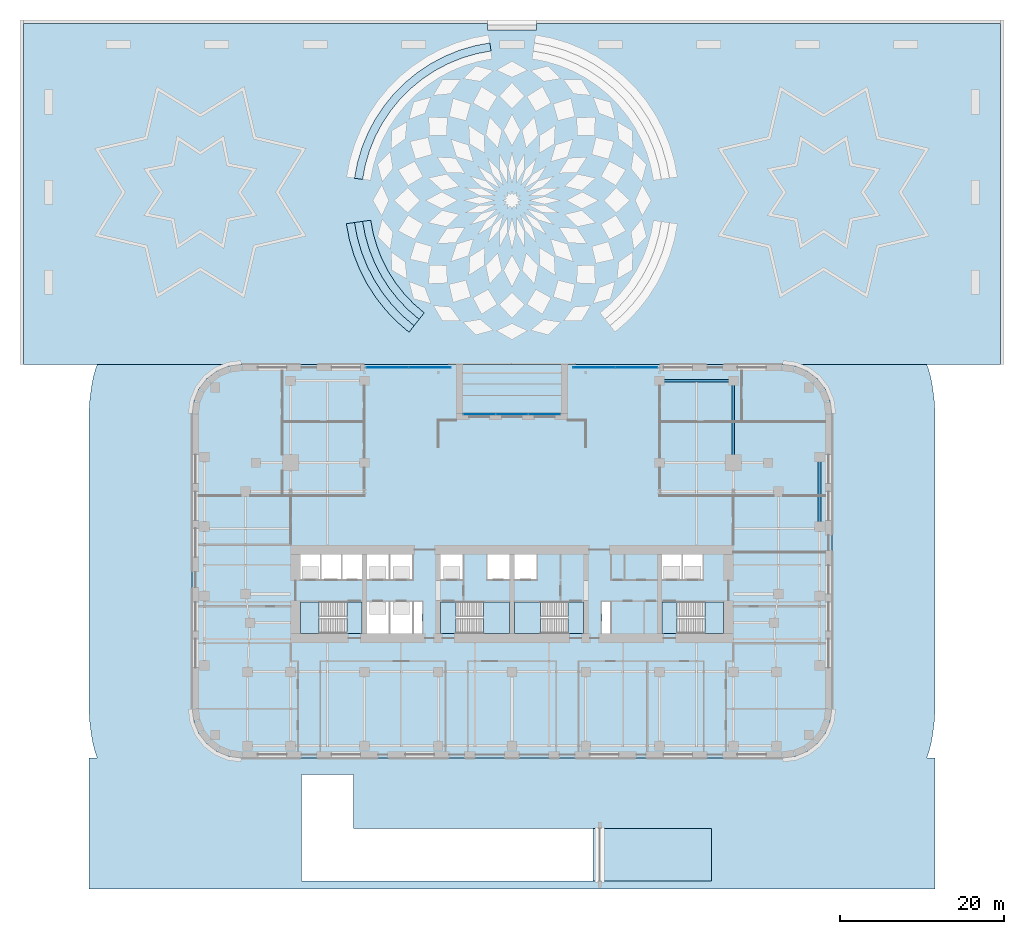
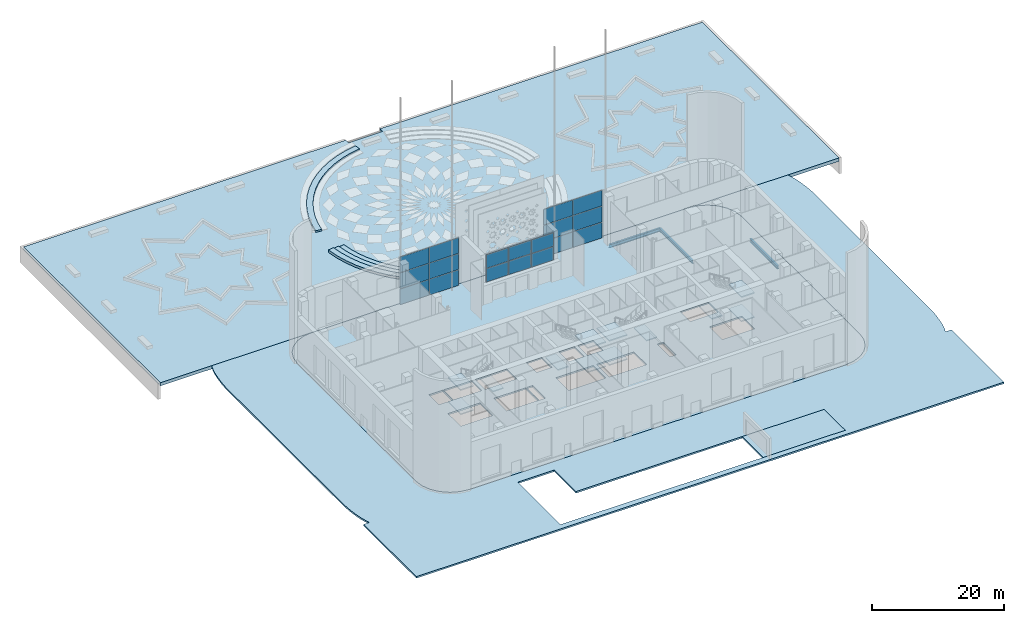
# One storey, part 8 of 23: 20 slabs, 18 plates, 3 beams, 9 elements without a shape of their own.
"""IFC4 building model written with IfcOpenShell, lengths in metres."""

from ifc_helpers import new_model, si_unit, direction, frame, origin, origin_2d, place, context, subcontext, project, spatial, polyline, rectangle, i_section, outline, extrude, material, layer, layer_set, material_profile, profile_set, type_object, element, aggregate, save


model = new_model("IFC4")

# Units and contexts
model_context = context("Model", 3, precision=1e-05, world=origin(), true_north=direction((0.0, 1.0)))
body_context = subcontext(model_context, "Body", "Model", "MODEL_VIEW")
ifc_project = project(units=[si_unit("LENGTHUNIT", "METRE"), si_unit("AREAUNIT", "SQUARE_METRE"), si_unit("VOLUMEUNIT", "CUBIC_METRE"), si_unit("PLANEANGLEUNIT", "RADIAN"), si_unit("MASSUNIT", "GRAM", prefix="KILO")], contexts=[model_context])

# Site, building, storey
site_placement = place(None, origin())
site = spatial("IfcSite", under=ifc_project, at=site_placement, CompositionType="ELEMENT")
building_placement = place(site_placement, origin())
building = spatial("IfcBuilding", under=site, at=building_placement, Name="Zellij Exchange Tower", CompositionType="ELEMENT")
storey_placement = place(building_placement, origin())
storey = spatial("IfcBuildingStorey", under=building, at=storey_placement, Name="L00", CompositionType="ELEMENT", Elevation=0.0)

# Beams
ifc_material_1 = material(Name="Structural steel ASTM A992 Gr 50", Category="steel")
ifc_material_profile = material_profile(ifc_material_1, i_section(OverallWidth=0.3251953125, OverallDepth=0.612060546875, WebThickness=0.0126953125, FlangeThickness=0.01904296875, at=origin_2d()), Name="W24x104")
ifc_profile_set = profile_set([ifc_material_profile], Name="Structural steel ASTM A992 Gr 50")
beam_type = type_object("IfcBeamType", Name="STR-GIRDER W24x104", PredefinedType="BEAM", material=ifc_profile_set)
beam_1_placement = place(storey_placement, frame((18.0, 18.0, -0.606201171875), z_axis=(1.0, 0.0, 0.0), x_axis=(0.0, 1.0, 0.0)))
element("IfcBeam", 1, at=beam_1_placement, inside=storey, type_object=beam_type, Name="G3", PredefinedType="BEAM", context=body_context, shape_type="SweptSolid", body=[
    extrude(i_section(OverallWidth=0.3251953125, OverallDepth=0.612060546875, WebThickness=0.0126953125, FlangeThickness=0.01904296875, at=origin_2d()), origin(), (0.0, 0.0, 1.0), 9.0),
])
beam_2_placement = place(storey_placement, frame((27.0, 8.0, -0.606201171875), z_axis=(0.0, 1.0, 0.0), x_axis=(-1.0, 0.0, 0.0)))
element("IfcBeam", 2, at=beam_2_placement, inside=storey, type_object=beam_type, Name="G3", PredefinedType="BEAM", context=body_context, shape_type="SweptSolid", body=[
    extrude(i_section(OverallWidth=0.3251953125, OverallDepth=0.612060546875, WebThickness=0.0126953125, FlangeThickness=0.01904296875, at=origin_2d()), origin(), (0.0, 0.0, 1.0), 10.0),
])
beam_3_placement = place(storey_placement, frame((37.5, 0.236083984375, -0.606201171875), z_axis=(0.0, 1.0, 0.0), x_axis=(-1.0, 0.0, 0.0)))
element("IfcBeam", 3, at=beam_3_placement, inside=storey, type_object=beam_type, Name="G3", PredefinedType="BEAM", context=body_context, shape_type="SweptSolid", body=[
    extrude(i_section(OverallWidth=0.3251953125, OverallDepth=0.612060546875, WebThickness=0.0126953125, FlangeThickness=0.01904296875, at=origin_2d()), origin(), (0.0, 0.0, 1.0), 8.472900390625),
])

# Slab
ifc_material_2 = material(Name="Concrete C40/50", Category="concrete")
ifc_layer_1 = layer(ifc_material_2, 0.300048828125)
ifc_layer_set_1 = layer_set([ifc_layer_1], Name="Concrete C40/50")
slab_type_1 = type_object("IfcSlabType", Name="BSM-Court paving 300", PredefinedType="USERDEFINED", material=ifc_layer_set_1)
slab_1_placement = place(storey_placement, frame((0.0, 0.0, -0.300048828125)))
element("IfcSlab", 4, at=slab_1_placement, inside=storey, type_object=slab_type_1, Name="Service court apron", ObjectType="COURT PAVING", PredefinedType="USERDEFINED", context=body_context, shape_type="SweptSolid", body=[
    extrude(outline(polyline([(24.304931640625, -43.0), (24.304931640625, -36.60009765625), (9.905029296875, -36.60009765625), (9.905029296875, -43.0), (24.304931640625, -43.0)])), origin(), (0.0, 0.0, 1.0), 0.300048828125),
])

# Stair, slabs
stair_type = type_object("IfcStairType", Name="CORE-ST exit stair 1850 wide", PredefinedType="HALF_TURN_STAIR", material=ifc_material_2)
stair_1_placement = place(storey_placement, origin())
stair_1 = element("IfcStair", 5, at=stair_1_placement, inside=storey, type_object=stair_type, Name="L00 exit stair ST1", PredefinedType="HALF_TURN_STAIR")
ifc_layer_2 = layer(ifc_material_2, 0.199951171875)
ifc_layer_set_2 = layer_set([ifc_layer_2], Name="Concrete C40/50")
slab_type_2 = type_object("IfcSlabType", Name="CORE-SL stair landing 200", PredefinedType="LANDING", material=ifc_layer_set_2)
slab_2_placement = place(storey_placement, frame((0.0, 0.0, 2.050048828125)))
slab_2 = element("IfcSlab", 6, at=slab_2_placement, type_object=slab_type_2, Name="ST1 landing 1", PredefinedType="LANDING", context=body_context, shape_type="SweptSolid", body=[
    extrude(outline(polyline([(-23.510009765625, -8.949951171875), (-25.800048828125, -8.949951171875), (-25.800048828125, -12.800048828125), (-23.510009765625, -12.800048828125), (-23.510009765625, -8.949951171875)])), origin(), (0.0, 0.0, 1.0), 0.199951171875),
])
slab_3_placement = place(storey_placement, frame((0.0, 0.0, 4.300048828125)))
slab_3 = element("IfcSlab", 7, at=slab_3_placement, type_object=slab_type_2, Name="ST1 landing 2", PredefinedType="LANDING", context=body_context, shape_type="SweptSolid", body=[
    extrude(outline(polyline([(-18.300048828125, -8.949951171875), (-20.14990234375, -8.949951171875), (-20.14990234375, -12.800048828125), (-18.300048828125, -12.800048828125), (-18.300048828125, -8.949951171875)])), origin(), (0.0, 0.0, 1.0), 0.199951171875),
])
slab_4_placement = place(storey_placement, frame((0.0, 0.0, 6.550048828125)))
slab_4 = element("IfcSlab", 8, at=slab_4_placement, type_object=slab_type_2, Name="ST1 landing 3", PredefinedType="LANDING", context=body_context, shape_type="SweptSolid", body=[
    extrude(outline(polyline([(-23.510009765625, -8.949951171875), (-25.800048828125, -8.949951171875), (-25.800048828125, -12.800048828125), (-23.510009765625, -12.800048828125), (-23.510009765625, -8.949951171875)])), origin(), (0.0, 0.0, 1.0), 0.199951171875),
])
aggregate(stair_1, [slab_2, slab_3, slab_4])

stair_2_placement = place(storey_placement, origin())
stair_2 = element("IfcStair", 9, at=stair_2_placement, inside=storey, type_object=stair_type, Name="L00 exit stair ST2", PredefinedType="HALF_TURN_STAIR")
slab_5_placement = place(storey_placement, frame((0.0, 0.0, 2.050048828125)))
slab_5 = element("IfcSlab", 10, at=slab_5_placement, type_object=slab_type_2, Name="ST2 landing 1", PredefinedType="LANDING", context=body_context, shape_type="SweptSolid", body=[
    extrude(outline(polyline([(-3.489990234375, -12.800048828125), (-0.300048828125, -12.800048828125), (-0.300048828125, -8.949951171875), (-3.489990234375, -8.949951171875), (-3.489990234375, -12.800048828125)])), origin(), (0.0, 0.0, 1.0), 0.199951171875),
])
slab_6_placement = place(storey_placement, frame((0.0, 0.0, 4.300048828125)))
slab_6 = element("IfcSlab", 11, at=slab_6_placement, type_object=slab_type_2, Name="ST2 landing 2", PredefinedType="LANDING", context=body_context, shape_type="SweptSolid", body=[
    extrude(outline(polyline([(-8.699951171875, -12.800048828125), (-6.85009765625, -12.800048828125), (-6.85009765625, -8.949951171875), (-8.699951171875, -8.949951171875), (-8.699951171875, -12.800048828125)])), origin(), (0.0, 0.0, 1.0), 0.199951171875),
])
slab_7_placement = place(storey_placement, frame((0.0, 0.0, 6.550048828125)))
slab_7 = element("IfcSlab", 12, at=slab_7_placement, type_object=slab_type_2, Name="ST2 landing 3", PredefinedType="LANDING", context=body_context, shape_type="SweptSolid", body=[
    extrude(outline(polyline([(-3.489990234375, -12.800048828125), (-0.300048828125, -12.800048828125), (-0.300048828125, -8.949951171875), (-3.489990234375, -8.949951171875), (-3.489990234375, -12.800048828125)])), origin(), (0.0, 0.0, 1.0), 0.199951171875),
])
aggregate(stair_2, [slab_5, slab_6, slab_7])

stair_3_placement = place(storey_placement, origin())
stair_3 = element("IfcStair", 13, at=stair_3_placement, inside=storey, type_object=stair_type, Name="L00 exit stair ST3", PredefinedType="HALF_TURN_STAIR")
slab_8_placement = place(storey_placement, frame((0.0, 0.0, 2.050048828125)))
slab_8 = element("IfcSlab", 14, at=slab_8_placement, type_object=slab_type_2, Name="ST3 landing 1", PredefinedType="LANDING", context=body_context, shape_type="SweptSolid", body=[
    extrude(outline(polyline([(3.489990234375, -8.949951171875), (0.300048828125, -8.949951171875), (0.300048828125, -12.800048828125), (3.489990234375, -12.800048828125), (3.489990234375, -8.949951171875)])), origin(), (0.0, 0.0, 1.0), 0.199951171875),
])
slab_9_placement = place(storey_placement, frame((0.0, 0.0, 4.300048828125)))
slab_9 = element("IfcSlab", 15, at=slab_9_placement, type_object=slab_type_2, Name="ST3 landing 2", PredefinedType="LANDING", context=body_context, shape_type="SweptSolid", body=[
    extrude(outline(polyline([(8.699951171875, -8.949951171875), (6.85009765625, -8.949951171875), (6.85009765625, -12.800048828125), (8.699951171875, -12.800048828125), (8.699951171875, -8.949951171875)])), origin(), (0.0, 0.0, 1.0), 0.199951171875),
])
slab_10_placement = place(storey_placement, frame((0.0, 0.0, 6.550048828125)))
slab_10 = element("IfcSlab", 16, at=slab_10_placement, type_object=slab_type_2, Name="ST3 landing 3", PredefinedType="LANDING", context=body_context, shape_type="SweptSolid", body=[
    extrude(outline(polyline([(3.489990234375, -8.949951171875), (0.300048828125, -8.949951171875), (0.300048828125, -12.800048828125), (3.489990234375, -12.800048828125), (3.489990234375, -8.949951171875)])), origin(), (0.0, 0.0, 1.0), 0.199951171875),
])
aggregate(stair_3, [slab_8, slab_9, slab_10])

stair_4_placement = place(storey_placement, origin())
stair_4 = element("IfcStair", 17, at=stair_4_placement, inside=storey, type_object=stair_type, Name="L00 exit stair ST4", PredefinedType="HALF_TURN_STAIR")
slab_11_placement = place(storey_placement, frame((0.0, 0.0, 2.050048828125)))
slab_11 = element("IfcSlab", 18, at=slab_11_placement, type_object=slab_type_2, Name="ST4 landing 1", PredefinedType="LANDING", context=body_context, shape_type="SweptSolid", body=[
    extrude(outline(polyline([(23.510009765625, -12.800048828125), (25.800048828125, -12.800048828125), (25.800048828125, -8.949951171875), (23.510009765625, -8.949951171875), (23.510009765625, -12.800048828125)])), origin(), (0.0, 0.0, 1.0), 0.199951171875),
])
slab_12_placement = place(storey_placement, frame((0.0, 0.0, 4.300048828125)))
slab_12 = element("IfcSlab", 19, at=slab_12_placement, type_object=slab_type_2, Name="ST4 landing 2", PredefinedType="LANDING", context=body_context, shape_type="SweptSolid", body=[
    extrude(outline(polyline([(18.300048828125, -12.800048828125), (20.14990234375, -12.800048828125), (20.14990234375, -8.949951171875), (18.300048828125, -8.949951171875), (18.300048828125, -12.800048828125)])), origin(), (0.0, 0.0, 1.0), 0.199951171875),
])
slab_13_placement = place(storey_placement, frame((0.0, 0.0, 6.550048828125)))
slab_13 = element("IfcSlab", 20, at=slab_13_placement, type_object=slab_type_2, Name="ST4 landing 3", PredefinedType="LANDING", context=body_context, shape_type="SweptSolid", body=[
    extrude(outline(polyline([(23.510009765625, -12.800048828125), (25.800048828125, -12.800048828125), (25.800048828125, -8.949951171875), (23.510009765625, -8.949951171875), (23.510009765625, -12.800048828125)])), origin(), (0.0, 0.0, 1.0), 0.199951171875),
])
aggregate(stair_4, [slab_11, slab_12, slab_13])

# Curtain wall, plates
ifc_material_3 = material(Name="Aluminium frame, clear insulating glass", Category="aluminium")
curtain_wall_type_1 = type_object("IfcCurtainWallType", Name="ENV-CW3 Exchange-hall glazing", PredefinedType="NOTDEFINED", material=ifc_material_3)
curtain_wall_1_placement = place(storey_placement, origin())
curtain_wall_1 = element("IfcCurtainWall", 21, at=curtain_wall_1_placement, inside=storey, type_object=curtain_wall_type_1, Name="cw.L00.14b", PredefinedType="NOTDEFINED")
ifc_material_4 = material(Name="Insulating glass unit, clear", Category="glass")
ifc_layer_3 = layer(ifc_material_4, 0.0439453125)
ifc_layer_set_3 = layer_set([ifc_layer_3], Name="Insulating glass unit, clear")
plate_type_1 = type_object("IfcPlateType", Name="ENV-CW3P Glazed panel 44", PredefinedType="CURTAIN_PANEL", material=ifc_layer_set_3)
plate_1_placement = place(storey_placement, frame((15.179931640625, 19.60009765625, 0.080078125), z_axis=(0.0, 0.0, 1.0), x_axis=(-1.0, 0.0, 0.0)))
plate_1 = element("IfcPlate", 22, at=plate_1_placement, type_object=plate_type_1, Name="CW3 panel 1.1", PredefinedType="CURTAIN_PANEL", context=body_context, shape_type="SweptSolid", body=[
    extrude(rectangle(XDim=5.080078125, YDim=0.0439453125, at=origin_2d()), origin(), (0.0, 0.0, 1.0), 2.8798828125),
])
plate_2_placement = place(storey_placement, frame((15.179931640625, 19.60009765625, 3.0400390625), z_axis=(0.0, 0.0, 1.0), x_axis=(-1.0, 0.0, 0.0)))
plate_2 = element("IfcPlate", 23, at=plate_2_placement, type_object=plate_type_1, Name="CW3 panel 1.2", PredefinedType="CURTAIN_PANEL", context=body_context, shape_type="SweptSolid", body=[
    extrude(rectangle(XDim=5.080078125, YDim=0.0439453125, at=origin_2d()), origin(), (0.0, 0.0, 1.0), 2.919921875),
])
plate_3_placement = place(storey_placement, frame((15.179931640625, 19.60009765625, 6.0400390625), z_axis=(0.0, 0.0, 1.0), x_axis=(-1.0, 0.0, 0.0)))
plate_3 = element("IfcPlate", 24, at=plate_3_placement, type_object=plate_type_1, Name="CW3 panel 1.3", PredefinedType="CURTAIN_PANEL", context=body_context, shape_type="SweptSolid", body=[
    extrude(rectangle(XDim=5.080078125, YDim=0.0439453125, at=origin_2d()), origin(), (0.0, 0.0, 1.0), 2.8798828125),
])
plate_4_placement = place(storey_placement, frame((10.02001953125, 19.60009765625, 0.080078125), z_axis=(0.0, 0.0, 1.0), x_axis=(-1.0, 0.0, 0.0)))
plate_4 = element("IfcPlate", 25, at=plate_4_placement, type_object=plate_type_1, Name="CW3 panel 2.1", PredefinedType="CURTAIN_PANEL", context=body_context, shape_type="SweptSolid", body=[
    extrude(rectangle(XDim=5.080078125, YDim=0.0439453125, at=origin_2d()), origin(), (0.0, 0.0, 1.0), 2.8798828125),
])
plate_5_placement = place(storey_placement, frame((10.02001953125, 19.60009765625, 3.0400390625), z_axis=(0.0, 0.0, 1.0), x_axis=(-1.0, 0.0, 0.0)))
plate_5 = element("IfcPlate", 26, at=plate_5_placement, type_object=plate_type_1, Name="CW3 panel 2.2", PredefinedType="CURTAIN_PANEL", context=body_context, shape_type="SweptSolid", body=[
    extrude(rectangle(XDim=5.080078125, YDim=0.0439453125, at=origin_2d()), origin(), (0.0, 0.0, 1.0), 2.919921875),
])
plate_6_placement = place(storey_placement, frame((10.02001953125, 19.60009765625, 6.0400390625), z_axis=(0.0, 0.0, 1.0), x_axis=(-1.0, 0.0, 0.0)))
plate_6 = element("IfcPlate", 27, at=plate_6_placement, type_object=plate_type_1, Name="CW3 panel 2.3", PredefinedType="CURTAIN_PANEL", context=body_context, shape_type="SweptSolid", body=[
    extrude(rectangle(XDim=5.080078125, YDim=0.0439453125, at=origin_2d()), origin(), (0.0, 0.0, 1.0), 2.8798828125),
])
aggregate(curtain_wall_1, [plate_1, plate_2, plate_3, plate_4, plate_5, plate_6])

curtain_wall_2_placement = place(storey_placement, origin())
curtain_wall_2 = element("IfcCurtainWall", 28, at=curtain_wall_2_placement, inside=storey, type_object=curtain_wall_type_1, Name="cw.L00.14c", PredefinedType="NOTDEFINED")
plate_7_placement = place(storey_placement, frame((-10.02001953125, 19.60009765625, 0.080078125), z_axis=(0.0, 0.0, 1.0), x_axis=(-1.0, 0.0, 0.0)))
plate_7 = element("IfcPlate", 29, at=plate_7_placement, type_object=plate_type_1, Name="CW3 panel 1.1", PredefinedType="CURTAIN_PANEL", context=body_context, shape_type="SweptSolid", body=[
    extrude(rectangle(XDim=5.080078125, YDim=0.0439453125, at=origin_2d()), origin(), (0.0, 0.0, 1.0), 2.8798828125),
])
plate_8_placement = place(storey_placement, frame((-10.02001953125, 19.60009765625, 3.0400390625), z_axis=(0.0, 0.0, 1.0), x_axis=(-1.0, 0.0, 0.0)))
plate_8 = element("IfcPlate", 30, at=plate_8_placement, type_object=plate_type_1, Name="CW3 panel 1.2", PredefinedType="CURTAIN_PANEL", context=body_context, shape_type="SweptSolid", body=[
    extrude(rectangle(XDim=5.080078125, YDim=0.0439453125, at=origin_2d()), origin(), (0.0, 0.0, 1.0), 2.919921875),
])
plate_9_placement = place(storey_placement, frame((-10.02001953125, 19.60009765625, 6.0400390625), z_axis=(0.0, 0.0, 1.0), x_axis=(-1.0, 0.0, 0.0)))
plate_9 = element("IfcPlate", 31, at=plate_9_placement, type_object=plate_type_1, Name="CW3 panel 1.3", PredefinedType="CURTAIN_PANEL", context=body_context, shape_type="SweptSolid", body=[
    extrude(rectangle(XDim=5.080078125, YDim=0.0439453125, at=origin_2d()), origin(), (0.0, 0.0, 1.0), 2.8798828125),
])
plate_10_placement = place(storey_placement, frame((-15.179931640625, 19.60009765625, 0.080078125), z_axis=(0.0, 0.0, 1.0), x_axis=(-1.0, 0.0, 0.0)))
plate_10 = element("IfcPlate", 32, at=plate_10_placement, type_object=plate_type_1, Name="CW3 panel 2.1", PredefinedType="CURTAIN_PANEL", context=body_context, shape_type="SweptSolid", body=[
    extrude(rectangle(XDim=5.080078125, YDim=0.0439453125, at=origin_2d()), origin(), (0.0, 0.0, 1.0), 2.8798828125),
])
plate_11_placement = place(storey_placement, frame((-15.179931640625, 19.60009765625, 3.0400390625), z_axis=(0.0, 0.0, 1.0), x_axis=(-1.0, 0.0, 0.0)))
plate_11 = element("IfcPlate", 33, at=plate_11_placement, type_object=plate_type_1, Name="CW3 panel 2.2", PredefinedType="CURTAIN_PANEL", context=body_context, shape_type="SweptSolid", body=[
    extrude(rectangle(XDim=5.080078125, YDim=0.0439453125, at=origin_2d()), origin(), (0.0, 0.0, 1.0), 2.919921875),
])
plate_12_placement = place(storey_placement, frame((-15.179931640625, 19.60009765625, 6.0400390625), z_axis=(0.0, 0.0, 1.0), x_axis=(-1.0, 0.0, 0.0)))
plate_12 = element("IfcPlate", 34, at=plate_12_placement, type_object=plate_type_1, Name="CW3 panel 2.3", PredefinedType="CURTAIN_PANEL", context=body_context, shape_type="SweptSolid", body=[
    extrude(rectangle(XDim=5.080078125, YDim=0.0439453125, at=origin_2d()), origin(), (0.0, 0.0, 1.0), 2.8798828125),
])
aggregate(curtain_wall_2, [plate_7, plate_8, plate_9, plate_10, plate_11, plate_12])

ifc_material_5 = material(Name="Aluminium frame, clear laminated glass", Category="aluminium")
curtain_wall_type_2 = type_object("IfcCurtainWallType", Name="ENV-CW4 Iwan portal glazing", PredefinedType="NOTDEFINED", material=ifc_material_5)
curtain_wall_3_placement = place(storey_placement, origin())
curtain_wall_3 = element("IfcCurtainWall", 35, at=curtain_wall_3_placement, inside=storey, type_object=curtain_wall_type_2, Name="cw.L00.iwan.Na", PredefinedType="NOTDEFINED")
ifc_layer_4 = layer(ifc_material_4, 0.035888671875)
ifc_layer_set_4 = layer_set([ifc_layer_4], Name="Insulating glass unit, clear")
plate_type_2 = type_object("IfcPlateType", Name="ENV-CW4P Glazed panel 36", PredefinedType="CURTAIN_PANEL", material=ifc_layer_set_4)
plate_13_placement = place(storey_placement, frame((-3.97509765625, 13.919921875, 3.56005859375), z_axis=(0.0, 0.0, 1.0), x_axis=(1.0, 0.0, 0.0)))
plate_13 = element("IfcPlate", 36, at=plate_13_placement, type_object=plate_type_2, Name="CW4 panel 1.1", PredefinedType="CURTAIN_PANEL", context=body_context, shape_type="SweptSolid", body=[
    extrude(rectangle(XDim=3.830078125, YDim=0.035888671875, at=origin_2d()), origin(), (0.0, 0.0, 1.0), 2.510009765625),
])
plate_14_placement = place(storey_placement, frame((-3.97509765625, 13.919921875, 6.1298828125), z_axis=(0.0, 0.0, 1.0), x_axis=(1.0, 0.0, 0.0)))
plate_14 = element("IfcPlate", 37, at=plate_14_placement, type_object=plate_type_2, Name="CW4 panel 1.2", PredefinedType="CURTAIN_PANEL", context=body_context, shape_type="SweptSolid", body=[
    extrude(rectangle(XDim=3.830078125, YDim=0.035888671875, at=origin_2d()), origin(), (0.0, 0.0, 1.0), 2.510009765625),
])
aggregate(curtain_wall_3, [plate_13, plate_14])

curtain_wall_4_placement = place(storey_placement, origin())
curtain_wall_4 = element("IfcCurtainWall", 38, at=curtain_wall_4_placement, inside=storey, type_object=curtain_wall_type_2, Name="cw.L00.iwan.Nb", PredefinedType="NOTDEFINED")
plate_15_placement = place(storey_placement, frame((0.0, 13.919921875, 3.56005859375), z_axis=(0.0, 0.0, 1.0), x_axis=(1.0, 0.0, 0.0)))
plate_15 = element("IfcPlate", 39, at=plate_15_placement, type_object=plate_type_2, Name="CW4 panel 1.1", PredefinedType="CURTAIN_PANEL", context=body_context, shape_type="SweptSolid", body=[
    extrude(rectangle(XDim=3.8798828125, YDim=0.035888671875, at=origin_2d()), origin(), (0.0, 0.0, 1.0), 2.510009765625),
])
plate_16_placement = place(storey_placement, frame((0.0, 13.919921875, 6.1298828125), z_axis=(0.0, 0.0, 1.0), x_axis=(1.0, 0.0, 0.0)))
plate_16 = element("IfcPlate", 40, at=plate_16_placement, type_object=plate_type_2, Name="CW4 panel 1.2", PredefinedType="CURTAIN_PANEL", context=body_context, shape_type="SweptSolid", body=[
    extrude(rectangle(XDim=3.8798828125, YDim=0.035888671875, at=origin_2d()), origin(), (0.0, 0.0, 1.0), 2.510009765625),
])
aggregate(curtain_wall_4, [plate_15, plate_16])

curtain_wall_5_placement = place(storey_placement, origin())
curtain_wall_5 = element("IfcCurtainWall", 41, at=curtain_wall_5_placement, inside=storey, type_object=curtain_wall_type_2, Name="cw.L00.iwan.Nc", PredefinedType="NOTDEFINED")
plate_17_placement = place(storey_placement, frame((3.97509765625, 13.919921875, 3.56005859375), z_axis=(0.0, 0.0, 1.0), x_axis=(1.0, 0.0, 0.0)))
plate_17 = element("IfcPlate", 42, at=plate_17_placement, type_object=plate_type_2, Name="CW4 panel 1.1", PredefinedType="CURTAIN_PANEL", context=body_context, shape_type="SweptSolid", body=[
    extrude(rectangle(XDim=3.830078125, YDim=0.035888671875, at=origin_2d()), origin(), (0.0, 0.0, 1.0), 2.510009765625),
])
plate_18_placement = place(storey_placement, frame((3.97509765625, 13.919921875, 6.1298828125), z_axis=(0.0, 0.0, 1.0), x_axis=(1.0, 0.0, 0.0)))
plate_18 = element("IfcPlate", 43, at=plate_18_placement, type_object=plate_type_2, Name="CW4 panel 1.2", PredefinedType="CURTAIN_PANEL", context=body_context, shape_type="SweptSolid", body=[
    extrude(rectangle(XDim=3.830078125, YDim=0.035888671875, at=origin_2d()), origin(), (0.0, 0.0, 1.0), 2.510009765625),
])
aggregate(curtain_wall_5, [plate_17, plate_18])

# Slabs
ifc_material_6 = material(Name="Limestone paving", Category="masonry")
ifc_layer_5 = layer(ifc_material_6, 0.60009765625)
ifc_layer_set_5 = layer_set([ifc_layer_5], Name="Limestone paving")
slab_type_3 = type_object("IfcSlabType", Name="ENV-PV1 Plaza paving slab 200", PredefinedType="USERDEFINED", material=ifc_layer_set_5)
slab_14_placement = place(storey_placement, frame((0.0, 0.0, -0.60009765625)))
element("IfcSlab", 44, at=slab_14_placement, inside=storey, type_object=slab_type_3, Name="Plaza paving", ObjectType="PAVING", PredefinedType="USERDEFINED", context=body_context, shape_type="SweptSolid", body=[
    extrude(outline(polyline([(-59.60009765625, 20.0), (59.60009765625, 20.0), (59.60009765625, 61.60009765625), (3.0, 61.60009765625), (3.0, 60.800048828125), (-3.0, 60.800048828125), (-3.0, 61.60009765625), (-59.60009765625, 61.60009765625), (-59.60009765625, 20.0)])), origin(), (0.0, 0.0, 1.0), 0.60009765625),
])
ifc_layer_6 = layer(ifc_material_6, 0.300048828125)
ifc_layer_set_6 = layer_set([ifc_layer_6], Name="Limestone paving")
slab_type_4 = type_object("IfcSlabType", Name="ENV-PV3 Court paving slab 300", PredefinedType="USERDEFINED", material=ifc_layer_set_6)
slab_15_placement = place(storey_placement, frame((0.0, 0.0, -0.300048828125)))
element("IfcSlab", 45, at=slab_15_placement, inside=storey, type_object=slab_type_4, Name="Court paving", ObjectType="PAVING", PredefinedType="USERDEFINED", context=body_context, shape_type="SweptSolid", body=[
    extrude(outline(polyline([(-51.60009765625, -28.0), (-50.57275390625, -28.0), (-50.8125, -27.341796875), (-51.096923828125, -26.280029296875), (-51.287841796875, -25.197509765625), (-51.4921875, -23.64453125), (-51.60009765625, -22.0), (-51.60009765625, 14.0), (-51.4921875, 15.64453125), (-51.287841796875, 17.197509765625), (-51.096923828125, 18.280029296875), (-50.8125, 19.341796875), (-50.57275390625, 20.0), (-33.0, 20.0), (-34.552978515625, 19.795654296875), (-36.0, 19.1962890625), (-37.24267578125, 18.24267578125), (-38.1962890625, 17.0), (-38.795654296875, 15.552978515625), (-39.0, 14.0), (-39.0, -22.0), (-38.795654296875, -23.552978515625), (-38.1962890625, -25.0), (-37.24267578125, -26.24267578125), (-36.0, -27.1962890625), (-34.552978515625, -27.795654296875), (-33.0, -28.0), (33.0, -28.0), (34.552978515625, -27.795654296875), (36.0, -27.1962890625), (37.24267578125, -26.24267578125), (38.1962890625, -25.0), (38.795654296875, -23.552978515625), (39.0, -22.0), (39.0, 14.0), (38.795654296875, 15.552978515625), (38.1962890625, 17.0), (37.24267578125, 18.24267578125), (36.0, 19.1962890625), (34.552978515625, 19.795654296875), (33.0, 20.0), (50.57275390625, 20.0), (50.8125, 19.341796875), (51.096923828125, 18.280029296875), (51.287841796875, 17.197509765625), (51.4921875, 15.64453125), (51.60009765625, 14.0), (51.60009765625, -22.0), (51.4921875, -23.64453125), (51.287841796875, -25.197509765625), (51.096923828125, -26.280029296875), (50.8125, -27.341796875), (50.57275390625, -28.0), (51.60009765625, -28.0), (51.60009765625, -44.0), (-51.60009765625, -44.0), (-51.60009765625, -28.0)]), holes=[polyline([(-19.300048828125, -36.60009765625), (-19.300048828125, -30.0), (-25.699951171875, -30.0), (-25.699951171875, -43.0), (-19.300048828125, -43.0), (9.905029296875, -43.0), (24.304931640625, -43.0), (24.304931640625, -36.60009765625), (9.905029296875, -36.60009765625), (-19.300048828125, -36.60009765625)])]), origin(), (0.0, 0.0, 1.0), 0.300048828125),
])
ifc_layer_7 = layer(ifc_material_6, 0.14990234375)
ifc_layer_set_7 = layer_set([ifc_layer_7], Name="Limestone paving")
slab_type_5 = type_object("IfcSlabType", Name="ENV-PV5 Seat step paving 150", PredefinedType="USERDEFINED", material=ifc_layer_set_7)
slab_16_placement = place(storey_placement, origin())
element("IfcSlab", 46, at=slab_16_placement, inside=storey, type_object=slab_type_5, Name="Plaza seat step", ObjectType="PAVING", PredefinedType="USERDEFINED", context=body_context, shape_type="SweptSolid", body=[
    extrude(outline(polyline([(-18.220947265625, 37.439208984375), (-17.8916015625, 35.70458984375), (-17.3974609375, 34.009521484375), (-16.743408203125, 32.36962890625), (-15.934814453125, 30.800048828125), (-14.979736328125, 29.315185546875), (-13.88671875, 27.928466796875), (-12.665771484375, 26.653076171875), (-11.328125, 25.50048828125), (-10.71240234375, 26.28857421875), (-11.977294921875, 27.37841796875), (-13.1318359375, 28.584716796875), (-14.16552734375, 29.895751953125), (-15.06884765625, 31.300048828125), (-15.833251953125, 32.7841796875), (-16.451904296875, 34.335205078125), (-16.919189453125, 35.93798828125), (-17.230712890625, 37.578369140625), (-18.220947265625, 37.439208984375)])), origin(), (0.0, 0.0, 1.0), 0.14990234375),
])
ifc_layer_8 = layer(ifc_material_6, 0.300048828125)
ifc_layer_set_8 = layer_set([ifc_layer_8], Name="Limestone paving")
slab_type_6 = type_object("IfcSlabType", Name="ENV-PV6 Seat step paving 300", PredefinedType="USERDEFINED", material=ifc_layer_set_8)
slab_17_placement = place(storey_placement, origin())
element("IfcSlab", 47, at=slab_17_placement, inside=storey, type_object=slab_type_6, Name="Plaza seat step", ObjectType="PAVING", PredefinedType="USERDEFINED", context=body_context, shape_type="SweptSolid", body=[
    extrude(outline(polyline([(-2.699951171875, 59.211181640625), (-4.592041015625, 58.8486328125), (-6.43896484375, 58.30029296875), (-8.222412109375, 57.5712890625), (-9.9248046875, 56.669189453125), (-11.529052734375, 55.6025390625), (-13.019775390625, 54.382080078125), (-14.382080078125, 53.019775390625), (-15.6025390625, 51.529052734375), (-16.669189453125, 49.9248046875), (-17.5712890625, 48.222412109375), (-18.30029296875, 46.43896484375), (-18.8486328125, 44.592041015625), (-19.211181640625, 42.699951171875), (-18.220947265625, 42.560791015625), (-17.877197265625, 44.35546875), (-17.35693359375, 46.107177734375), (-16.66552734375, 47.798583984375), (-15.809814453125, 49.4130859375), (-14.79833984375, 50.934814453125), (-13.640869140625, 52.3486328125), (-12.3486328125, 53.640869140625), (-10.934814453125, 54.79833984375), (-9.4130859375, 55.809814453125), (-7.798583984375, 56.66552734375), (-6.107177734375, 57.35693359375), (-4.35546875, 57.877197265625), (-2.560791015625, 58.220947265625), (-2.699951171875, 59.211181640625)])), origin(), (0.0, 0.0, 1.0), 0.300048828125),
])
slab_18_placement = place(storey_placement, origin())
element("IfcSlab", 48, at=slab_18_placement, inside=storey, type_object=slab_type_6, Name="Plaza seat step", ObjectType="PAVING", PredefinedType="USERDEFINED", context=body_context, shape_type="SweptSolid", body=[
    extrude(outline(polyline([(-19.211181640625, 37.300048828125), (-18.864013671875, 35.47119140625), (-18.343017578125, 33.68408203125), (-17.6533203125, 31.955078125), (-16.80078125, 30.300048828125), (-15.793701171875, 28.734375), (-14.641357421875, 27.2724609375), (-13.35400390625, 25.927734375), (-11.94384765625, 24.712646484375), (-11.328125, 25.50048828125), (-12.665771484375, 26.653076171875), (-13.88671875, 27.928466796875), (-14.979736328125, 29.315185546875), (-15.934814453125, 30.800048828125), (-16.743408203125, 32.36962890625), (-17.3974609375, 34.009521484375), (-17.8916015625, 35.70458984375), (-18.220947265625, 37.439208984375), (-19.211181640625, 37.300048828125)])), origin(), (0.0, 0.0, 1.0), 0.300048828125),
])
ifc_layer_9 = layer(ifc_material_6, 0.449951171875)
ifc_layer_set_9 = layer_set([ifc_layer_9], Name="Limestone paving")
slab_type_7 = type_object("IfcSlabType", Name="ENV-PV7 Seat step paving 450", PredefinedType="USERDEFINED", material=ifc_layer_set_9)
slab_19_placement = place(storey_placement, origin())
element("IfcSlab", 49, at=slab_19_placement, inside=storey, type_object=slab_type_7, Name="Plaza seat step", ObjectType="PAVING", PredefinedType="USERDEFINED", context=body_context, shape_type="SweptSolid", body=[
    extrude(outline(polyline([(-20.201416015625, 37.160888671875), (-19.836181640625, 35.23779296875), (-19.28857421875, 33.3583984375), (-18.563232421875, 31.540283203125), (-17.6669921875, 29.800048828125), (-16.60791015625, 28.15380859375), (-15.39599609375, 26.616455078125), (-14.04248046875, 25.202392578125), (-12.5595703125, 23.924560546875), (-11.94384765625, 24.712646484375), (-13.35400390625, 25.927734375), (-14.641357421875, 27.2724609375), (-15.793701171875, 28.734375), (-16.80078125, 30.300048828125), (-17.6533203125, 31.955078125), (-18.343017578125, 33.68408203125), (-18.864013671875, 35.47119140625), (-19.211181640625, 37.300048828125), (-20.201416015625, 37.160888671875)])), origin(), (0.0, 0.0, 1.0), 0.449951171875),
])
ifc_material_7 = material(Name="Concrete C50/60", Category="concrete")
ifc_layer_10 = layer(ifc_material_7, 0.300048828125)
ifc_layer_set_10 = layer_set([ifc_layer_10], Name="Concrete C50/60")
slab_type_8 = type_object("IfcSlabType", Name="STR-FLOOR SLAB 300 C50/60", PredefinedType="FLOOR", material=ifc_layer_set_10)
slab_20_placement = place(storey_placement, frame((0.0, 0.0, -0.300048828125)))
element("IfcSlab", 50, at=slab_20_placement, inside=storey, type_object=slab_type_8, Name="Floor L00", PredefinedType="FLOOR", context=body_context, shape_type="SweptSolid", body=[
    extrude(outline(polyline([(-33.0, -28.0), (-34.552978515625, -27.795654296875), (-36.0, -27.1962890625), (-37.24267578125, -26.24267578125), (-38.1962890625, -25.0), (-38.795654296875, -23.552978515625), (-39.0, -22.0), (-39.0, 14.0), (-38.795654296875, 15.552978515625), (-38.1962890625, 17.0), (-37.24267578125, 18.24267578125), (-36.0, 19.1962890625), (-34.552978515625, 19.795654296875), (-33.0, 20.0), (33.0, 20.0), (34.552978515625, 19.795654296875), (36.0, 19.1962890625), (37.24267578125, 18.24267578125), (38.1962890625, 17.0), (38.795654296875, 15.552978515625), (39.0, 14.0), (39.0, -22.0), (38.795654296875, -23.552978515625), (38.1962890625, -25.0), (37.24267578125, -26.24267578125), (36.0, -27.1962890625), (34.552978515625, -27.795654296875), (33.0, -28.0), (-33.0, -28.0)]), holes=[polyline([(-25.800048828125, -8.949951171875), (-25.800048828125, -12.800048828125), (-20.153076171875, -12.800048828125), (-20.153076171875, -8.949951171875), (-25.800048828125, -8.949951171875)]), polyline([(-12.14990234375, -8.949951171875), (-17.699951171875, -8.949951171875), (-17.699951171875, -12.800048828125), (-12.14990234375, -12.800048828125), (-12.14990234375, -8.949951171875)]), polyline([(-10.949951171875, -8.949951171875), (-12.0, -8.949951171875), (-12.0, -12.800048828125), (-10.949951171875, -12.800048828125), (-10.949951171875, -8.949951171875)]), polyline([(-23.39990234375, -3.199951171875), (-25.800048828125, -3.199951171875), (-25.800048828125, -6.22509765625), (-23.39990234375, -6.22509765625), (-23.39990234375, -3.199951171875)]), polyline([(-18.300048828125, -3.199951171875), (-23.25, -3.199951171875), (-23.25, -6.22509765625), (-18.300048828125, -6.22509765625), (-18.300048828125, -3.199951171875)]), polyline([(-12.14990234375, -3.199951171875), (-17.699951171875, -3.199951171875), (-17.699951171875, -6.22509765625), (-12.14990234375, -6.22509765625), (-12.14990234375, -3.199951171875)]), polyline([(-6.0, -3.199951171875), (-8.699951171875, -3.199951171875), (-8.699951171875, -6.22509765625), (-6.0, -6.22509765625), (-6.0, -3.199951171875)]), polyline([(-6.846923828125, -8.949951171875), (-6.846923828125, -12.800048828125), (-0.300048828125, -12.800048828125), (-0.300048828125, -8.949951171875), (-6.846923828125, -8.949951171875)]), polyline([(6.846923828125, -8.949951171875), (0.300048828125, -8.949951171875), (0.300048828125, -12.800048828125), (6.846923828125, -12.800048828125), (6.846923828125, -8.949951171875)]), polyline([(12.0, -8.949951171875), (10.949951171875, -8.949951171875), (10.949951171875, -12.800048828125), (12.0, -12.800048828125), (12.0, -8.949951171875)]), polyline([(25.800048828125, -8.949951171875), (20.153076171875, -8.949951171875), (20.153076171875, -12.800048828125), (25.800048828125, -12.800048828125), (25.800048828125, -8.949951171875)]), polyline([(-0.300048828125, -3.199951171875), (-3.0, -3.199951171875), (-3.0, -6.22509765625), (-0.300048828125, -6.22509765625), (-0.300048828125, -3.199951171875)]), polyline([(3.0, -3.199951171875), (0.300048828125, -3.199951171875), (0.300048828125, -6.22509765625), (3.0, -6.22509765625), (3.0, -3.199951171875)]), polyline([(23.25, -3.199951171875), (18.300048828125, -3.199951171875), (18.300048828125, -6.22509765625), (23.25, -6.22509765625), (23.25, -3.199951171875)])]), origin(), (0.0, 0.0, 1.0), 0.300048828125),
])

save(model, "model.ifc")
